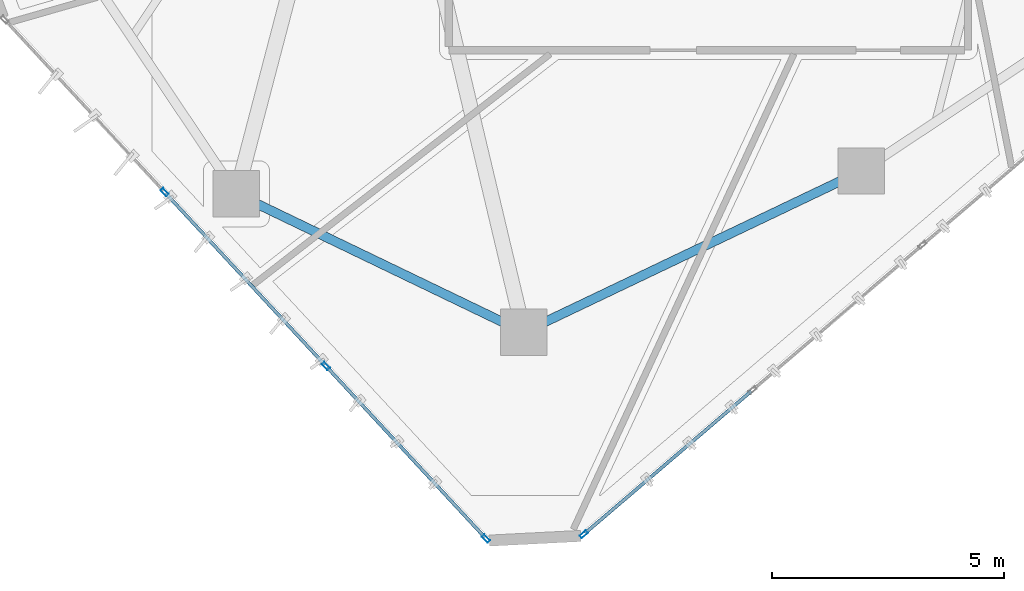
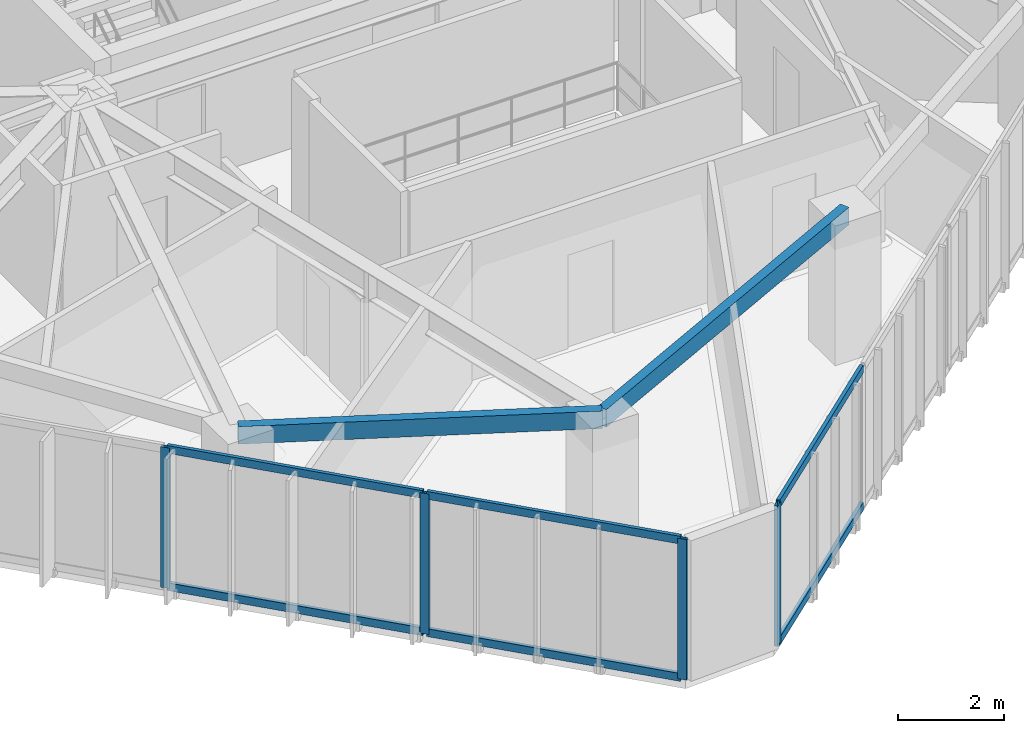
# One storey, part 2 of 21: 10 members, 2 beams, 2 elements without a shape of their own.
"""IFC4 building model written with IfcOpenShell, lengths in metres."""

import ifcopenshell
import ifcopenshell.guid

model = None  # the IFC model being written
_history = None  # IfcOwnerHistory: only IFC2X3 demands one
_inside = {}  # id of a spatial element -> (the spatial element, [elements in it])
_under = {}  # id of a project, library or spatial element -> (it, [spatial elements below it])
_declared = {}  # id of a project -> (the project, [libraries it declares])
_typed = {}  # id of a type object -> (the type object, [elements of that type])
_made_of = {}  # id of a material, layer set ... -> (it, [elements and type objects made of it])


def new_model(schema):
    """Start an empty IFC model of exactly this schema.

    Asked for "IFC4X3", IfcOpenShell would pick the latest addendum, in which some entities
    have other attributes; the version numbers below select the first issue.
    IFC2X3 requires an IfcOwnerHistory on every rooted entity: one is made here for all.
    """
    global model, _history
    if schema == "IFC4X3":
        model = ifcopenshell.file(schema_version=(4, 3, 0, 0))
    else:
        model = ifcopenshell.file(schema=schema)
    _inside.clear()
    _under.clear()
    _declared.clear()
    _typed.clear()
    _made_of.clear()
    _history = None
    if model.schema == "IFC2X3":
        org = make("IfcOrganization", Name="unknown")
        user = make(
            "IfcPersonAndOrganization",
            ThePerson=make("IfcPerson", FamilyName="unknown"),
            TheOrganization=org,
        )
        app = make(
            "IfcApplication",
            ApplicationDeveloper=org,
            Version="unknown",
            ApplicationFullName="unknown",
            ApplicationIdentifier="unknown",
        )
        _history = make(
            "IfcOwnerHistory",
            OwningUser=user,
            OwningApplication=app,
            ChangeAction="ADDED",
            CreationDate=0,
        )
    return model


def make(cls, **values):
    """One entity of the class cls with the attributes given. An attribute that is None is left unset."""
    return model.create_entity(
        cls, **{name: value for name, value in values.items() if value is not None}
    )


def rooted(cls, **values):
    """An entity with a GlobalId (a new one), such as an element, a storey or a relation."""
    return make(cls, GlobalId=ifcopenshell.guid.new(), OwnerHistory=_history, **values)


def si_unit(unit_type, name, prefix=None):
    """IfcSIUnit, for example si_unit("LENGTHUNIT", "METRE", prefix="MILLI")."""
    return make("IfcSIUnit", UnitType=unit_type, Prefix=prefix, Name=name)


def assignment(units):
    """IfcUnitAssignment: the units of a project."""
    return None if units is None else make("IfcUnitAssignment", Units=units)


def point(xyz):
    """IfcCartesianPoint."""
    return None if xyz is None else make("IfcCartesianPoint", Coordinates=xyz)


def direction(xyz):
    """IfcDirection."""
    return None if xyz is None else make("IfcDirection", DirectionRatios=xyz)


def frame(location, z_axis=None, x_axis=None):
    """IfcAxis2Placement3D, a coordinate frame: its origin and axes. An axis left out is left unset."""
    return make(
        "IfcAxis2Placement3D",
        Location=point(location),
        Axis=direction(z_axis),
        RefDirection=direction(x_axis),
    )


def frame_2d(location, x_axis=None):
    """IfcAxis2Placement2D, a coordinate frame in the plane: its origin and x axis."""
    return make(
        "IfcAxis2Placement2D", Location=point(location), RefDirection=direction(x_axis)
    )


def origin():
    """The frame at (0, 0, 0) with its axes left unset."""
    return frame((0.0, 0.0, 0.0))


def origin_2d():
    """The frame at (0, 0) in the plane with its x axis left unset."""
    return frame_2d((0.0, 0.0))


def place(relative_to, where):
    """IfcLocalPlacement: puts the frame where relative to a parent placement (None: the world)."""
    return make(
        "IfcLocalPlacement", PlacementRelTo=relative_to, RelativePlacement=where
    )


def context(
    kind, dimensions, precision=None, world=None, true_north=None, identifier=None
):
    """IfcGeometricRepresentationContext, for example the 3D "Model" context."""
    return make(
        "IfcGeometricRepresentationContext",
        ContextIdentifier=identifier,
        ContextType=kind,
        CoordinateSpaceDimension=dimensions,
        Precision=precision,
        WorldCoordinateSystem=world,
        TrueNorth=true_north,
    )


def subcontext(parent, identifier, kind, view, scale=None):
    """IfcGeometricRepresentationSubContext, for example "Body" below "Model"."""
    return make(
        "IfcGeometricRepresentationSubContext",
        ContextIdentifier=identifier,
        ContextType=kind,
        ParentContext=parent,
        TargetScale=scale,
        TargetView=view,
    )


def project(units=None, contexts=None):
    """IfcProject with its units and contexts."""
    return rooted(
        "IfcProject",
        Name="project",
        RepresentationContexts=contexts,
        UnitsInContext=assignment(units),
    )


def spatial(cls, under=None, at=None, **own):
    """A site, building, storey or space (cls), placed at a placement, below another one or the project."""
    s = rooted(cls, ObjectPlacement=at, **own)
    if under is not None:
        _under.setdefault(under.id(), (under, []))[1].append(s)
    return s


def profile(cls, at=None, kind="AREA", **sizes):
    """A parametric profile (cls). Its sizes go by their IFC names, for example OverallWidth=200.0."""
    return make(cls, ProfileType=kind, Position=at, **sizes)


def hollow_rectangle(**sizes):
    """IfcRectangleHollowProfileDef."""
    return profile("IfcRectangleHollowProfileDef", **sizes)


def extrude(swept, where, along, depth):
    """IfcExtrudedAreaSolid: the profile swept, set in the frame where, extruded along a direction by depth."""
    return make(
        "IfcExtrudedAreaSolid",
        SweptArea=swept,
        Position=where,
        ExtrudedDirection=direction(along),
        Depth=depth,
    )


def shape(context_of_items, identifier, shape_type, items):
    """IfcShapeRepresentation: the items that make up one representation, for example the "Body"."""
    return make(
        "IfcShapeRepresentation",
        ContextOfItems=context_of_items,
        RepresentationIdentifier=identifier,
        RepresentationType=shape_type,
        Items=items,
    )


def source(mapping_origin, context_of_items, identifier, shape_type, items):
    """IfcRepresentationMap: a shape defined once, which mapped items show again and again."""
    return make(
        "IfcRepresentationMap",
        MappingOrigin=mapping_origin,
        MappedRepresentation=shape(context_of_items, identifier, shape_type, items),
    )


def transform(
    local_origin,
    x_axis=None,
    y_axis=None,
    z_axis=None,
    scale=None,
    scale2=None,
    scale3=None,
    uniform=True,
):
    """IfcCartesianTransformationOperator3D, or its non-uniform kind. x_axis, y_axis, z_axis: its Axis1, 2, 3."""
    if uniform:
        return make(
            "IfcCartesianTransformationOperator3D",
            Axis1=direction(x_axis),
            Axis2=direction(y_axis),
            LocalOrigin=point(local_origin),
            Scale=scale,
            Axis3=direction(z_axis),
        )
    return make(
        "IfcCartesianTransformationOperator3DnonUniform",
        Axis1=direction(x_axis),
        Axis2=direction(y_axis),
        LocalOrigin=point(local_origin),
        Scale=scale,
        Axis3=direction(z_axis),
        Scale2=scale2,
        Scale3=scale3,
    )


def mapped(mapping_source, mapping_target):
    """IfcMappedItem: shows the shape of a source again, moved by a transform."""
    return make(
        "IfcMappedItem", MappingSource=mapping_source, MappingTarget=mapping_target
    )


def material(Name=None, Category=None):
    """IfcMaterial."""
    return make("IfcMaterial", Name=Name, Category=Category)


def layer(
    of_material, thickness, ventilated=None, Name=None, Category=None, Priority=None
):
    """IfcMaterialLayer: one layer of a wall or slab, of a material (None: an air gap)."""
    return make(
        "IfcMaterialLayer",
        Material=of_material,
        LayerThickness=thickness,
        IsVentilated=ventilated,
        Name=Name,
        Category=Category,
        Priority=Priority,
    )


def layer_set(layers, Name=None):
    """IfcMaterialLayerSet."""
    return make("IfcMaterialLayerSet", MaterialLayers=layers, LayerSetName=Name)


def material_profile(
    of_material, cross_section, Name=None, Category=None, Priority=None
):
    """IfcMaterialProfile: a cross section and its material."""
    return make(
        "IfcMaterialProfile",
        Name=Name,
        Material=of_material,
        Profile=cross_section,
        Priority=Priority,
        Category=Category,
    )


def profile_set(profiles, Name=None, composite=None):
    """IfcMaterialProfileSet."""
    return make(
        "IfcMaterialProfileSet",
        Name=Name,
        MaterialProfiles=profiles,
        CompositeProfile=composite,
    )


def made_of(thing, what):
    """Note that an element or type object is made of a material, layer set ...; save() writes the relation."""
    if what is not None:
        _made_of.setdefault(what.id(), (what, []))[1].append(thing)
    return thing


def type_object(cls, material=None, **own):
    """A type object (cls), such as IfcWallType, which elements share."""
    return made_of(rooted(cls, **own), material)


def type_shapes(of_type, sources):
    """Give a type object the sources (RepresentationMaps) that its elements show as mapped items."""
    of_type.RepresentationMaps = sources


def element(
    cls,
    number,
    at=None,
    inside=None,
    cuts=None,
    type_object=None,
    material=None,
    context=None,
    identifier="Body",
    shape_type=None,
    held_by="IfcProductDefinitionShape",
    body=None,
    shapes=None,
    **own,
):
    """One element of the class cls, such as IfcWall. Its Tag is "e" and its number.

    at: its placement. inside: the storey or other place that contains it. cuts: it is an
    opening in that element (IfcRelVoidsElement). A single representation is given by context,
    identifier, shape_type and body (its items); several are given by shapes. held_by: the class
    of the entity that holds the representations. save() writes the other relations.
    """
    e = rooted(cls, Tag="e%d" % number, ObjectPlacement=at, **own)
    if body is not None:
        shapes = [shape(context, identifier, shape_type, body)]
    if shapes is not None:
        e.Representation = make(held_by, Representations=shapes)
    if inside is not None:
        _inside.setdefault(inside.id(), (inside, []))[1].append(e)
    if cuts is not None:
        rooted(
            "IfcRelVoidsElement", RelatingBuildingElement=cuts, RelatedOpeningElement=e
        )
    if type_object is not None:
        _typed.setdefault(type_object.id(), (type_object, []))[1].append(e)
    return made_of(e, material)


def aggregate(whole, parts):
    """IfcRelAggregates: a whole, such as a stair, and the parts it consists of."""
    return rooted("IfcRelAggregates", RelatingObject=whole, RelatedObjects=parts)


def save(model, path):
    """Write the relations noted so far, then the file.

    IfcRelAggregates (storeys below a building ...), IfcRelContainedInSpatialStructure (elements
    in a storey), IfcRelDefinesByType, IfcRelAssociatesMaterial and IfcRelDeclares: one each for
    every whole, place, type object, material and project.
    """
    for whole, parts in _under.values():
        aggregate(whole, parts)
    for where, things in _inside.values():
        rooted(
            "IfcRelContainedInSpatialStructure",
            RelatedElements=things,
            RelatingStructure=where,
        )
    for kind, things in _typed.values():
        rooted("IfcRelDefinesByType", RelatedObjects=things, RelatingType=kind)
    for what, things in _made_of.values():
        rooted("IfcRelAssociatesMaterial", RelatedObjects=things, RelatingMaterial=what)
    for by, libraries in _declared.values():
        rooted("IfcRelDeclares", RelatingContext=by, RelatedDefinitions=libraries)
    model.write(path)


model = new_model("IFC4")

# Units and contexts
model_context = context("Model", 3, precision=1e-05, world=origin(), true_north=direction((0.0, 1.0)))
body_context = subcontext(model_context, "Body", "Model", "MODEL_VIEW")
ifc_project = project(units=[si_unit("LENGTHUNIT", "METRE"), si_unit("AREAUNIT", "SQUARE_METRE"), si_unit("VOLUMEUNIT", "CUBIC_METRE"), si_unit("PLANEANGLEUNIT", "RADIAN"), si_unit("MASSUNIT", "GRAM", prefix="KILO")], contexts=[model_context])

# Site, building, storey
site_placement = place(None, origin())
site = spatial("IfcSite", under=ifc_project, at=site_placement, CompositionType="ELEMENT")
building_placement = place(site_placement, origin())
building = spatial("IfcBuilding", under=site, at=building_placement, Name="Talar Marvaseh", CompositionType="ELEMENT")
storey_placement = place(building_placement, frame((0.0, 0.0, 225.699951171875)))
storey = spatial("IfcBuildingStorey", under=building, at=storey_placement, Name="L59", CompositionType="ELEMENT", Elevation=225.699951171875)

# Beams
ifc_material_1 = material(Name="Steel S355", Category="steel")
ifc_material_profile_1 = material_profile(ifc_material_1, hollow_rectangle(XDim=0.199951171875, YDim=0.39990234375, WallThickness=0.013916015625, at=origin_2d()), Name="RHS400x200x14")
ifc_profile_set_1 = profile_set([ifc_material_profile_1], Name="Steel S355")
beam_type = type_object("IfcBeamType", Name="Zone 3 Perimeter Spandrel Beam RHS400x200x14", PredefinedType="SPANDREL", material=ifc_profile_set_1)
beam_1_placement = place(storey_placement, frame((29.299072265625, 14.993896484375, 3.030029296875), z_axis=(-0.902562267408, -0.430559349511, 0.0), x_axis=(0.430559349511, -0.902562267408, 0.0)))
element("IfcBeam", 1, at=beam_1_placement, inside=storey, type_object=beam_type, Name="L59 Zone 3 Perimeter Spandrel Beam RHS400x200x14", PredefinedType="SPANDREL", context=body_context, shape_type="SweptSolid", body=[
    extrude(hollow_rectangle(XDim=0.199951171875, YDim=0.39990234375, WallThickness=0.013916015625, at=origin_2d()), origin(), (0.0, 0.0, 1.0), 8.070556640625),
])
beam_2_placement = place(storey_placement, frame((22.014892578125, 11.51904296875, 3.030029296875), z_axis=(-0.901071562993, 0.433670425975, 0.0), x_axis=(-0.433670425975, -0.901071562993, 0.0)))
element("IfcBeam", 2, at=beam_2_placement, inside=storey, type_object=beam_type, Name="L59 Zone 3 Perimeter Spandrel Beam RHS400x200x14", PredefinedType="SPANDREL", context=body_context, shape_type="SweptSolid", body=[
    extrude(hollow_rectangle(XDim=0.199951171875, YDim=0.39990234375, WallThickness=0.013916015625, at=origin_2d()), origin(), (0.0, 0.0, 1.0), 6.8759765625),
])

# Curtain wall, members
ifc_material_2 = material(Name="Architectural Aluminium", Category="aluminium")
ifc_layer = layer(ifc_material_2, 0.18994140625)
ifc_layer_set = layer_set([ifc_layer], Name="Architectural Aluminium")
curtain_wall_type = type_object("IfcCurtainWallType", Name="Unitised Solar Atelier Curtain Wall Z3", PredefinedType="NOTDEFINED", material=ifc_layer_set)
curtain_wall_1_placement = place(storey_placement, origin())
curtain_wall_1 = element("IfcCurtainWall", 3, at=curtain_wall_1_placement, inside=storey, type_object=curtain_wall_type, Name="L59 Unitised Solar Atelier Curtain Wall Z3", PredefinedType="NOTDEFINED")
ifc_material_profile_2 = material_profile(ifc_material_2, hollow_rectangle(XDim=0.074951171875, YDim=0.179931640625, WallThickness=0.0048828125, at=origin_2d()), Name="RHS180x75x5")
ifc_profile_set_2 = profile_set([ifc_material_profile_2], Name="Architectural Aluminium")
member_type_1 = type_object("IfcMemberType", Name="Unitised Curtain Wall Standard Mullion RHS180x75x5", PredefinedType="MULLION", material=ifc_profile_set_2)
shared_shape_1 = source(origin(), body_context, "Body", "SweptSolid", [
    extrude(hollow_rectangle(XDim=0.074951171875, YDim=0.179931640625, WallThickness=0.0048828125, at=origin_2d()), origin(), (0.0, 0.0, 1.0), 3.22998046875),
])
type_shapes(member_type_1, [shared_shape_1])
member_1_placement = place(storey_placement, frame((21.200927734375, 7.069580078125, 0.0), z_axis=(0.0, 0.0, 1.0), x_axis=(-0.733183227185, -0.680031142944, 0.0)))
member_1 = element("IfcMember", 4, at=member_1_placement, type_object=member_type_1, Name="CW-Z3 mullion 1", PredefinedType="MULLION", context=body_context, shape_type="MappedRepresentation", body=[
    mapped(shared_shape_1, transform((0.0, 0.0, 0.0), x_axis=(1.0, 0.0, 0.0), y_axis=(0.0, 1.0, 0.0), z_axis=(0.0, 0.0, 1.0), scale=1.0)),
])
member_2_placement = place(storey_placement, frame((17.74951171875, 10.791015625, 0.0), z_axis=(0.0, 0.0, 1.0), x_axis=(-0.733183227185, -0.680031142944, 0.0)))
member_2 = element("IfcMember", 5, at=member_2_placement, type_object=member_type_1, Name="CW-Z3 mullion 2", PredefinedType="MULLION", context=body_context, shape_type="MappedRepresentation", body=[
    mapped(shared_shape_1, transform((0.0, 0.0, 0.0), x_axis=(1.0, 0.0, 0.0), y_axis=(0.0, 1.0, 0.0), z_axis=(0.0, 0.0, 1.0), scale=1.0)),
])
member_3_placement = place(storey_placement, frame((14.2724609375, 14.539794921875, 0.0), z_axis=(0.0, 0.0, 1.0), x_axis=(-0.733183227185, -0.680031142944, 0.0)))
member_3 = element("IfcMember", 6, at=member_3_placement, type_object=member_type_1, Name="CW-Z3 mullion 3", PredefinedType="MULLION", context=body_context, shape_type="MappedRepresentation", body=[
    mapped(shared_shape_1, transform((0.0, 0.0, 0.0), x_axis=(1.0, 0.0, 0.0), y_axis=(0.0, 1.0, 0.0), z_axis=(0.0, 0.0, 1.0), scale=1.0)),
])

# Curtain wall, member
curtain_wall_2_placement = place(storey_placement, origin())
curtain_wall_2 = element("IfcCurtainWall", 7, at=curtain_wall_2_placement, inside=storey, type_object=curtain_wall_type, Name="L59 Unitised Solar Atelier Curtain Wall Z3", PredefinedType="NOTDEFINED")
member_4_placement = place(storey_placement, frame((23.313232421875, 7.162841796875, 0.0), z_axis=(0.0, 0.0, 1.0), x_axis=(0.649564719149, -0.760306303826, 0.0)))
member_4 = element("IfcMember", 8, at=member_4_placement, type_object=member_type_1, Name="CW-Z3 mullion 5", PredefinedType="MULLION", context=body_context, shape_type="MappedRepresentation", body=[
    mapped(shared_shape_1, transform((0.0, 0.0, 0.0), x_axis=(1.0, 0.0, 0.0), y_axis=(0.0, 1.0, 0.0), z_axis=(0.0, 0.0, 1.0), scale=1.0)),
])

# Member
ifc_material_profile_3 = material_profile(ifc_material_2, hollow_rectangle(XDim=0.074951171875, YDim=0.179931640625, WallThickness=0.0048828125, at=origin_2d()), Name="RHS180x75x5")
ifc_profile_set_3 = profile_set([ifc_material_profile_3], Name="Architectural Aluminium")
member_type_2 = type_object("IfcMemberType", Name="Unitised Curtain Wall Transom RHS180x75x5", PredefinedType="USERDEFINED", material=ifc_profile_set_3)
shared_shape_2 = source(origin(), body_context, "Body", "SweptSolid", [
    extrude(hollow_rectangle(XDim=0.074951171875, YDim=0.179931640625, WallThickness=0.0048828125, at=origin_2d()), origin(), (0.0, 0.0, 1.0), 5.0380859375),
])
member_5_placement = place(storey_placement, frame((17.723876953125, 10.818359375, 0.03759765625), z_axis=(-0.680027200388, 0.733186883907, 0.0), x_axis=(-0.733186883907, -0.680027200388, 0.0)))
member_5 = element("IfcMember", 9, at=member_5_placement, type_object=member_type_2, Name="CW-Z3 transom 2.1", ObjectType="TRANSOM", PredefinedType="USERDEFINED", context=body_context, shape_type="MappedRepresentation", body=[
    mapped(shared_shape_2, transform((0.0, 0.0, 0.0), x_axis=(1.0, 0.0, 0.0), y_axis=(0.0, 1.0, 0.0), z_axis=(0.0, 0.0, 1.0), scale=1.0)),
])

member_6_placement = place(storey_placement, frame((17.723876953125, 10.818359375, 3.192626953125), z_axis=(-0.680027200388, 0.733186883907, 0.0), x_axis=(-0.733186883907, -0.680027200388, 0.0)))
member_6 = element("IfcMember", 10, at=member_6_placement, type_object=member_type_2, Name="CW-Z3 transom 2.2", ObjectType="TRANSOM", PredefinedType="USERDEFINED", context=body_context, shape_type="MappedRepresentation", body=[
    mapped(shared_shape_2, transform((0.0, 0.0, 0.0), x_axis=(1.0, 0.0, 0.0), y_axis=(0.0, 1.0, 0.0), z_axis=(0.0, 0.0, 1.0), scale=1.0)),
])

shared_shape_3 = source(origin(), body_context, "Body", "SweptSolid", [
    extrude(hollow_rectangle(XDim=0.074951171875, YDim=0.179931640625, WallThickness=0.0048828125, at=origin_2d()), origin(), (0.0, 0.0, 1.0), 5.00048828125),
])
member_7_placement = place(storey_placement, frame((21.17529296875, 7.09716796875, 0.03759765625), z_axis=(-0.680022133308, 0.733191583565, 0.0), x_axis=(-0.733191583565, -0.680022133308, 0.0)))
member_7 = element("IfcMember", 11, at=member_7_placement, type_object=member_type_2, Name="CW-Z3 transom 1.1", ObjectType="TRANSOM", PredefinedType="USERDEFINED", context=body_context, shape_type="MappedRepresentation", body=[
    mapped(shared_shape_3, transform((0.0, 0.0, 0.0), x_axis=(1.0, 0.0, 0.0), y_axis=(0.0, 1.0, 0.0), z_axis=(0.0, 0.0, 1.0), scale=1.0)),
])

member_8_placement = place(storey_placement, frame((21.17529296875, 7.09716796875, 3.192626953125), z_axis=(-0.680022133308, 0.733191583565, 0.0), x_axis=(-0.733191583565, -0.680022133308, 0.0)))
member_8 = element("IfcMember", 12, at=member_8_placement, type_object=member_type_2, Name="CW-Z3 transom 1.2", ObjectType="TRANSOM", PredefinedType="USERDEFINED", context=body_context, shape_type="MappedRepresentation", body=[
    mapped(shared_shape_3, transform((0.0, 0.0, 0.0), x_axis=(1.0, 0.0, 0.0), y_axis=(0.0, 1.0, 0.0), z_axis=(0.0, 0.0, 1.0), scale=1.0)),
])

aggregate(curtain_wall_1, [member_1, member_2, member_3, member_7, member_8, member_5, member_6])

shared_shape_4 = source(origin(), body_context, "Body", "SweptSolid", [
    extrude(hollow_rectangle(XDim=0.074951171875, YDim=0.179931640625, WallThickness=0.0048828125, at=origin_2d()), origin(), (0.0, 0.0, 1.0), 4.709716796875),
])
type_shapes(member_type_2, [shared_shape_2, shared_shape_3, shared_shape_4])
member_9_placement = place(storey_placement, frame((26.92236328125, 10.246337890625, 0.03759765625), z_axis=(-0.760298473161, -0.649573884719, 0.0), x_axis=(0.649573884719, -0.760298473161, 0.0)))
member_9 = element("IfcMember", 13, at=member_9_placement, type_object=member_type_2, Name="CW-Z3 transom 4.1", ObjectType="TRANSOM", PredefinedType="USERDEFINED", context=body_context, shape_type="MappedRepresentation", body=[
    mapped(shared_shape_4, transform((0.0, 0.0, 0.0), x_axis=(1.0, 0.0, 0.0), y_axis=(0.0, 1.0, 0.0), z_axis=(0.0, 0.0, 1.0), scale=1.0)),
])

member_10_placement = place(storey_placement, frame((26.92236328125, 10.246337890625, 3.192626953125), z_axis=(-0.760298473161, -0.649573884719, 0.0), x_axis=(0.649573884719, -0.760298473161, 0.0)))
member_10 = element("IfcMember", 14, at=member_10_placement, type_object=member_type_2, Name="CW-Z3 transom 4.2", ObjectType="TRANSOM", PredefinedType="USERDEFINED", context=body_context, shape_type="MappedRepresentation", body=[
    mapped(shared_shape_4, transform((0.0, 0.0, 0.0), x_axis=(1.0, 0.0, 0.0), y_axis=(0.0, 1.0, 0.0), z_axis=(0.0, 0.0, 1.0), scale=1.0)),
])

aggregate(curtain_wall_2, [member_4, member_9, member_10])

save(model, "model.ifc")
